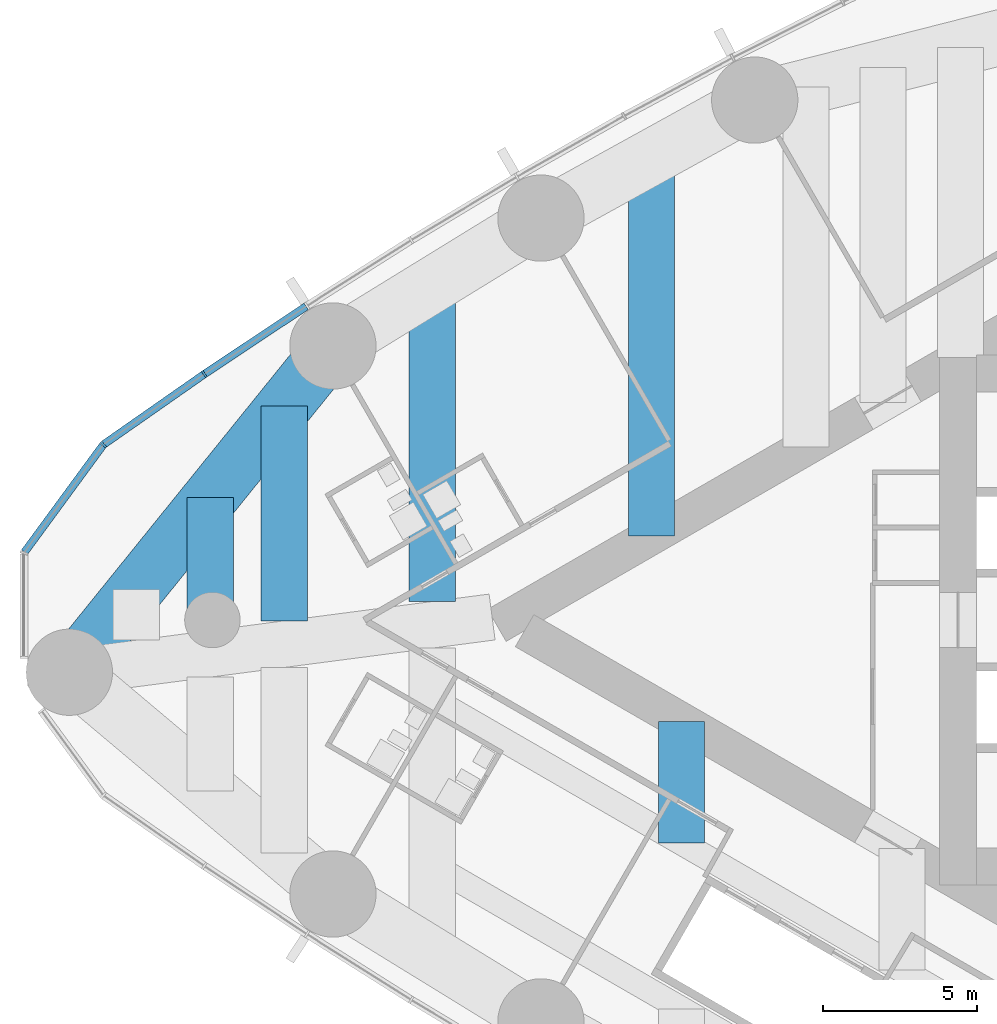
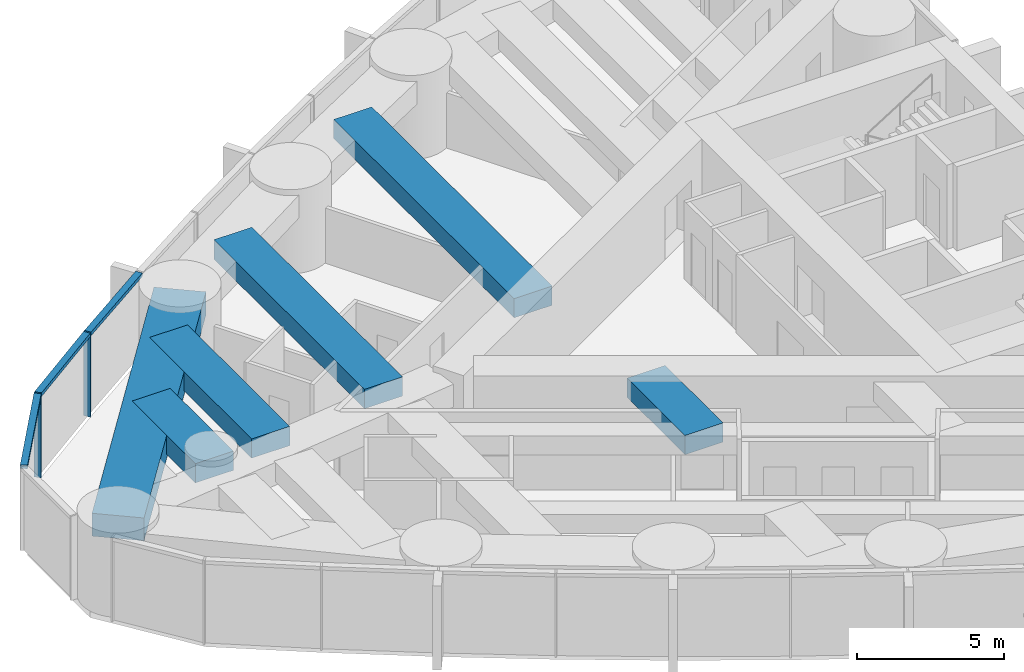
# One storey, part 3 of 18: 6 beams, 5 members, 1 element without a shape of its own.
"""IFC4 building model written with IfcOpenShell, lengths in metres."""

from ifc_helpers import new_model, si_unit, direction, frame, origin, origin_2d, place, context, subcontext, project, spatial, rectangle, extrude, material, material_profile, profile_set, type_object, element, aggregate, save


model = new_model("IFC4")

# Units and contexts
model_context = context("Model", 3, precision=1e-05, world=origin(), true_north=direction((0.0, 1.0)))
body_context = subcontext(model_context, "Body", "Model", "MODEL_VIEW")
ifc_project = project(units=[si_unit("LENGTHUNIT", "METRE"), si_unit("AREAUNIT", "SQUARE_METRE"), si_unit("VOLUMEUNIT", "CUBIC_METRE"), si_unit("PLANEANGLEUNIT", "RADIAN"), si_unit("MASSUNIT", "GRAM", prefix="KILO")], contexts=[model_context])

# Site, building, storey
site_placement = place(None, origin())
site = spatial("IfcSite", under=ifc_project, at=site_placement, CompositionType="ELEMENT")
building_placement = place(site_placement, origin())
building = spatial("IfcBuilding", under=site, at=building_placement, Name="Lancet Gate Hotel", CompositionType="ELEMENT")
storey_placement = place(building_placement, frame((0.0, 0.0, 166.800048828125)))
storey = spatial("IfcBuildingStorey", under=building, at=storey_placement, Name="L44", CompositionType="ELEMENT", Elevation=166.800048828125)

# Curtain wall, members
ifc_material_1 = material(Name="Aluminium curtain wall", Category="aluminium")
curtain_wall_type = type_object("IfcCurtainWallType", Name="Tower unitised curtain wall", PredefinedType="USERDEFINED", material=ifc_material_1)
curtain_wall_placement = place(storey_placement, origin())
curtain_wall = element("IfcCurtainWall", 1, at=curtain_wall_placement, inside=storey, type_object=curtain_wall_type, Name="T1 L44 curtain wall 2", ObjectType="UNITISED CURTAIN WALL", PredefinedType="USERDEFINED")
ifc_material_2 = material(Name="Aluminium mullion", Category="aluminium")
ifc_material_profile_1 = material_profile(ifc_material_2, rectangle(XDim=0.06494140625, YDim=0.25, at=origin_2d()), Name="MULLION 65x250")
ifc_profile_set_1 = profile_set([ifc_material_profile_1], Name="Aluminium mullion")
member_type_1 = type_object("IfcMemberType", Name="Aluminium mullion 65x250", PredefinedType="MULLION", material=ifc_profile_set_1)
member_1_placement = place(storey_placement, frame((-61.7626953125, 7.980712890625, 0.0), z_axis=(0.0, 0.0, 1.0), x_axis=(-0.826312172542, -0.563212387568, 0.0)))
member_1 = element("IfcMember", 2, at=member_1_placement, type_object=member_type_1, Name="T1 L44 curtain wall 2 mullion 10", PredefinedType="MULLION", context=body_context, shape_type="SweptSolid", body=[
    extrude(rectangle(XDim=0.06494140625, YDim=0.25, at=origin_2d()), origin(), (0.0, 0.0, 1.0), 3.5),
])
member_2_placement = place(storey_placement, frame((-65.040283203125, 5.68994140625, 0.0), z_axis=(0.0, 0.0, 1.0), x_axis=(-0.710112861968, -0.704087866155, 0.0)))
member_2 = element("IfcMember", 3, at=member_2_placement, type_object=member_type_1, Name="T1 L44 curtain wall 2 mullion 11", PredefinedType="MULLION", context=body_context, shape_type="SweptSolid", body=[
    extrude(rectangle(XDim=0.06494140625, YDim=0.25, at=origin_2d()), origin(), (0.0, 0.0, 1.0), 3.5),
])
ifc_material_3 = material(Name="Aluminium transom", Category="aluminium")
ifc_material_profile_2 = material_profile(ifc_material_3, rectangle(XDim=0.25, YDim=0.14990234375, at=origin_2d()), Name="TRANSOM 250x150")
ifc_profile_set_2 = profile_set([ifc_material_profile_2], Name="Aluminium transom")
member_type_2 = type_object("IfcMemberType", Name="Aluminium transom 250x150", PredefinedType="USERDEFINED", material=ifc_profile_set_2)
member_3_placement = place(storey_placement, frame((-58.459228515625, 10.176025390625, 3.425048828125), z_axis=(-0.832870509189, -0.553467898729, 0.0), x_axis=(0.553467898729, -0.832870509189, 0.0)))
member_3 = element("IfcMember", 4, at=member_3_placement, type_object=member_type_2, Name="T1 L44 curtain wall 2 transom 9", ObjectType="TRANSOM", PredefinedType="USERDEFINED", context=body_context, shape_type="SweptSolid", body=[
    extrude(rectangle(XDim=0.25, YDim=0.14990234375, at=origin_2d()), origin(), (0.0, 0.0, 1.0), 3.933837890625),
])
member_4_placement = place(storey_placement, frame((-61.789306640625, 7.962158203125, 3.425048828125), z_axis=(-0.819636985462, -0.572883244704, 0.0), x_axis=(0.572883244704, -0.819636985462, 0.0)))
member_4 = element("IfcMember", 5, at=member_4_placement, type_object=member_type_2, Name="T1 L44 curtain wall 2 transom 10", ObjectType="TRANSOM", PredefinedType="USERDEFINED", context=body_context, shape_type="SweptSolid", body=[
    extrude(rectangle(XDim=0.25, YDim=0.14990234375, at=origin_2d()), origin(), (0.0, 0.0, 1.0), 3.933837890625),
])
member_5_placement = place(storey_placement, frame((-65.0595703125, 5.66357421875, 3.425048828125), z_axis=(-0.591324189618, -0.806433941977, 0.0), x_axis=(0.806433941977, -0.591324189618, 0.0)))
member_5 = element("IfcMember", 6, at=member_5_placement, type_object=member_type_2, Name="T1 L44 curtain wall 2 transom 11", ObjectType="TRANSOM", PredefinedType="USERDEFINED", context=body_context, shape_type="SweptSolid", body=[
    extrude(rectangle(XDim=0.25, YDim=0.14990234375, at=origin_2d()), origin(), (0.0, 0.0, 1.0), 4.2900390625),
])
aggregate(curtain_wall, [member_1, member_2, member_3, member_4, member_5])

# Beams
ifc_material_4 = material(Name="Concrete C50/60", Category="concrete")
ifc_material_profile_3 = material_profile(ifc_material_4, rectangle(XDim=1.800048828125, YDim=0.949951171875, at=origin_2d()), Name="RC 1800x950")
ifc_profile_set_3 = profile_set([ifc_material_profile_3], Name="Concrete C50/60")
beam_type_1 = type_object("IfcBeamType", Name="Edge beam RC 1800x950", PredefinedType="SPANDREL", material=ifc_profile_set_3)
beam_1_placement = place(storey_placement, frame((-57.589599609375, 8.89306640625, 2.77490234375), z_axis=(-0.628373846765, -0.777911504416, 0.0), x_axis=(0.777911504416, -0.628373846765, 0.0)))
element("IfcBeam", 7, at=beam_1_placement, inside=storey, type_object=beam_type_1, Name="T1 edge beam EB1 L44", PredefinedType="SPANDREL", context=body_context, shape_type="SweptSolid", body=[
    extrude(rectangle(XDim=1.800048828125, YDim=0.949951171875, at=origin_2d()), origin(), (0.0, 0.0, 1.0), 13.611328125),
])
ifc_material_5 = material(Name="Concrete C50/60", Category="concrete")
ifc_material_profile_4 = material_profile(ifc_material_5, rectangle(XDim=1.5, YDim=0.800048828125, at=origin_2d()), Name="RC 1500x800")
ifc_profile_set_4 = profile_set([ifc_material_profile_4], Name="Concrete C50/60")
beam_type_2 = type_object("IfcBeamType", Name="Floor beam RC 1500x800", PredefinedType="BEAM", material=ifc_profile_set_4)
beam_2_placement = place(storey_placement, frame((-47.254638671875, 15.020751953125, 2.849853515625), z_axis=(0.0, -1.0, 0.0), x_axis=(1.0, 0.0, 0.0)))
element("IfcBeam", 8, at=beam_2_placement, inside=storey, type_object=beam_type_2, Name="T1 floor beam F09S L44", PredefinedType="BEAM", context=body_context, shape_type="SweptSolid", body=[
    extrude(rectangle(XDim=1.5, YDim=0.800048828125, at=origin_2d()), origin(), (0.0, 0.0, 1.0), 12.29931640625),
])
beam_3_placement = place(storey_placement, frame((-54.3681640625, 10.87353515625, 2.849853515625), z_axis=(0.0, -1.0, 0.0), x_axis=(1.0, 0.0, 0.0)))
element("IfcBeam", 9, at=beam_3_placement, inside=storey, type_object=beam_type_2, Name="T1 floor beam F10S L44", PredefinedType="BEAM", context=body_context, shape_type="SweptSolid", body=[
    extrude(rectangle(XDim=1.5, YDim=0.800048828125, at=origin_2d()), origin(), (0.0, 0.0, 1.0), 10.27392578125),
])
beam_4_placement = place(storey_placement, frame((-59.168212890625, 6.938720703125, 2.849853515625), z_axis=(0.0, -1.0, 0.0), x_axis=(1.0, 0.0, 0.0)))
element("IfcBeam", 10, at=beam_4_placement, inside=storey, type_object=beam_type_2, Name="T1 floor beam F12S L44", PredefinedType="BEAM", context=body_context, shape_type="SweptSolid", body=[
    extrude(rectangle(XDim=1.5, YDim=0.800048828125, at=origin_2d()), origin(), (0.0, 0.0, 1.0), 6.96630859375),
])
beam_5_placement = place(storey_placement, frame((-61.568359375, 3.967529296875, 2.849853515625), z_axis=(0.0, -1.0, 0.0), x_axis=(1.0, 0.0, 0.0)))
element("IfcBeam", 11, at=beam_5_placement, inside=storey, type_object=beam_type_2, Name="T1 floor beam F14S L44", PredefinedType="BEAM", context=body_context, shape_type="SweptSolid", body=[
    extrude(rectangle(XDim=1.5, YDim=0.800048828125, at=origin_2d()), origin(), (0.0, 0.0, 1.0), 4.308837890625),
])
beam_6_placement = place(storey_placement, frame((-46.27587890625, -3.28662109375, 2.849853515625), z_axis=(0.0, -1.0, 0.0), x_axis=(1.0, 0.0, 0.0)))
element("IfcBeam", 12, at=beam_6_placement, inside=storey, type_object=beam_type_2, Name="T1 floor beam F08NA L44", PredefinedType="BEAM", context=body_context, shape_type="SweptSolid", body=[
    extrude(rectangle(XDim=1.5, YDim=0.800048828125, at=origin_2d()), origin(), (0.0, 0.0, 1.0), 3.945556640625),
])

save(model, "model.ifc")
